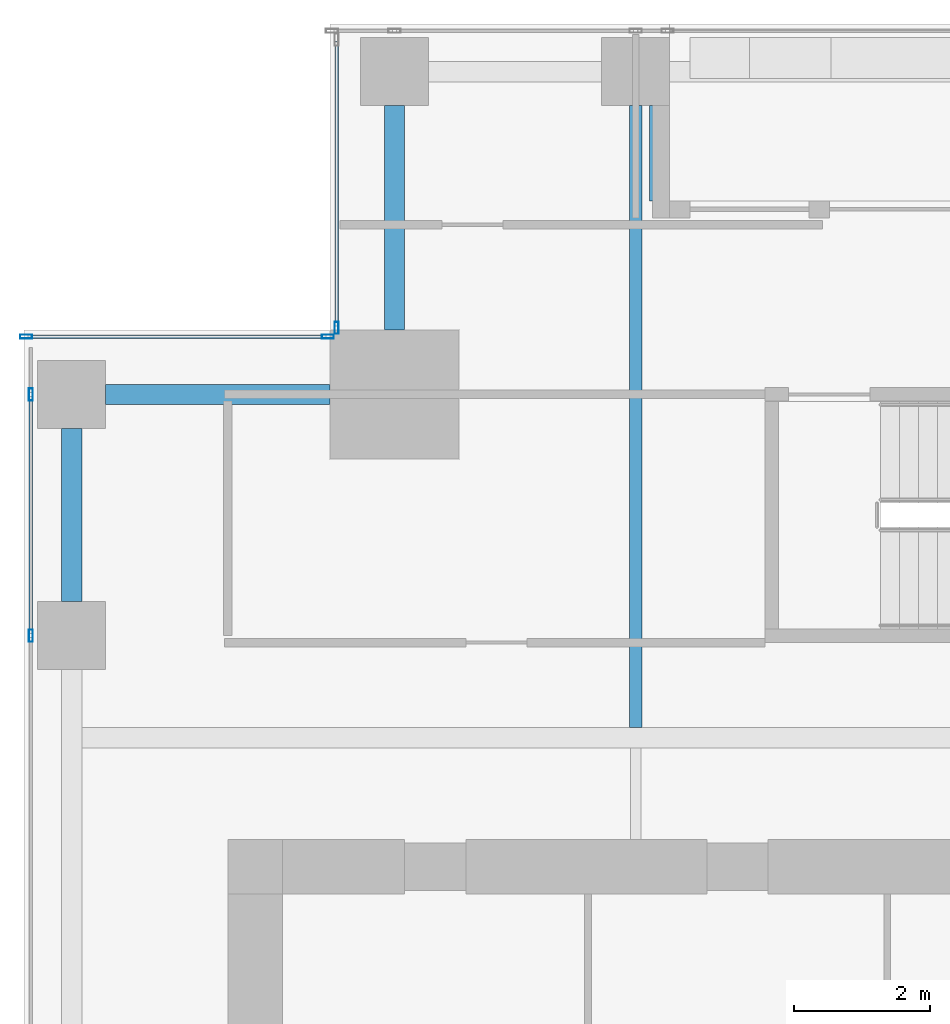
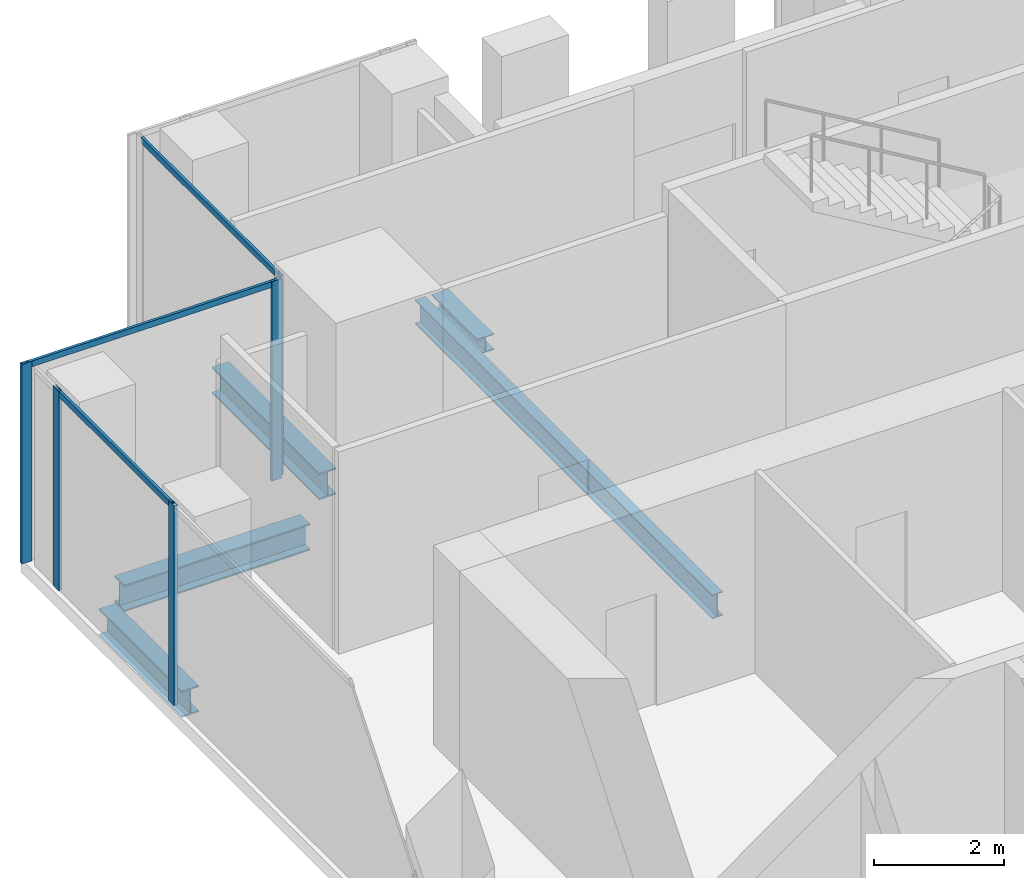
# One storey, part 19 of 40: 8 members, 5 beams, 3 elements without a shape of their own.
"""IFC4 building model written with IfcOpenShell, lengths in metres."""

from ifc_helpers import new_model, si_unit, direction, frame, origin, origin_2d, place, context, subcontext, project, spatial, hollow_rectangle, i_section, extrude, source, transform, mapped, material, material_profile, profile_set, type_object, element, aggregate, save


model = new_model("IFC4")

# Units and contexts
model_context = context("Model", 3, precision=1e-05, world=origin(), true_north=direction((0.0, 1.0)))
body_context = subcontext(model_context, "Body", "Model", "MODEL_VIEW")
ifc_project = project(units=[si_unit("LENGTHUNIT", "METRE"), si_unit("AREAUNIT", "SQUARE_METRE"), si_unit("VOLUMEUNIT", "CUBIC_METRE"), si_unit("PLANEANGLEUNIT", "RADIAN"), si_unit("MASSUNIT", "GRAM", prefix="KILO")], contexts=[model_context])

# Site, building, storey
site_placement = place(None, origin())
site = spatial("IfcSite", under=ifc_project, at=site_placement, CompositionType="ELEMENT")
building_placement = place(site_placement, origin())
building = spatial("IfcBuilding", under=site, at=building_placement, Name="Khomas Fold Tower", CompositionType="ELEMENT")
storey_placement = place(building_placement, frame((0.0, 0.0, 204.699951171875)))
storey = spatial("IfcBuildingStorey", under=building, at=storey_placement, Name="L45", CompositionType="ELEMENT", Elevation=204.699951171875)

# Beams
ifc_material_1 = material(Name="Steel S355", Category="steel")
ifc_material_profile_1 = material_profile(ifc_material_1, i_section(OverallWidth=0.300048828125, OverallDepth=0.5, WebThickness=0.014404296875, FlangeThickness=0.028076171875, at=origin_2d()), Name="HE 500 B")
ifc_profile_set_1 = profile_set([ifc_material_profile_1], Name="Steel S355")
beam_type_1 = type_object("IfcBeamType", Name="HE 500 B spandrel SB3", PredefinedType="SPANDREL", material=ifc_profile_set_1)
shared_shape_1 = source(origin(), body_context, "Body", "SweptSolid", [
    extrude(i_section(OverallWidth=0.300048828125, OverallDepth=0.5, WebThickness=0.014404296875, FlangeThickness=0.028076171875, at=origin_2d()), origin(), (0.0, 0.0, 1.0), 2.550048828125),
])
beam_1_placement = place(storey_placement, frame((3.699951171875, 42.5, -0.5), z_axis=(0.0, 1.0, 0.0), x_axis=(-1.0, 0.0, 0.0)))
element("IfcBeam", 1, at=beam_1_placement, inside=storey, type_object=beam_type_1, Name="SB3", PredefinedType="SPANDREL", context=body_context, shape_type="MappedRepresentation", body=[
    mapped(shared_shape_1, transform((0.0, 0.0, 0.0))),
])
shared_shape_2 = source(origin(), body_context, "Body", "SweptSolid", [
    extrude(i_section(OverallWidth=0.300048828125, OverallDepth=0.5, WebThickness=0.014404296875, FlangeThickness=0.028076171875, at=origin_2d()), origin(), (0.0, 0.0, 1.0), 3.300048828125),
])
for number, where, z_axis, x_axis, name in (
    (2, (8.449951171875, 46.5, -0.5), (0.0, 1.0, 0.0), (-1.0, 0.0, 0.0), "SB3"),
    (3, (4.199951171875, 45.550048828125, -0.5), (1.0, 0.0, 0.0), (0.0, 1.0, 0.0), "SB3"),
):
    element("IfcBeam", number, at=place(storey_placement, frame(where, z_axis=z_axis, x_axis=x_axis)), inside=storey, type_object=beam_type_1, Name=name, PredefinedType="SPANDREL", context=body_context, shape_type="MappedRepresentation", body=[
        mapped(shared_shape_2, transform((0.0, 0.0, 0.0))),
    ])
ifc_material_2 = material(Name="Steel S355", Category="steel")
ifc_material_profile_2 = material_profile(ifc_material_2, i_section(OverallWidth=0.18994140625, OverallDepth=0.449951171875, WebThickness=0.009521484375, FlangeThickness=0.0146484375, at=origin_2d()), Name="IPE 450")
ifc_profile_set_2 = profile_set([ifc_material_profile_2], Name="Steel S355")
beam_type_2 = type_object("IfcBeamType", Name="IPE 450 beam JB4", PredefinedType="BEAM", material=ifc_profile_set_2)
shared_shape_3 = source(origin(), body_context, "Body", "SweptSolid", [
    extrude(i_section(OverallWidth=0.18994140625, OverallDepth=0.449951171875, WebThickness=0.009521484375, FlangeThickness=0.0146484375, at=origin_2d()), origin(), (0.0, 0.0, 1.0), 9.150146484375),
])
beam_2_placement = place(storey_placement, frame((12.0, 40.64990234375, -0.474853515625), z_axis=(0.0, 1.0, 0.0), x_axis=(-1.0, 0.0, 0.0)))
element("IfcBeam", 4, at=beam_2_placement, inside=storey, type_object=beam_type_2, Name="JB4", PredefinedType="BEAM", context=body_context, shape_type="MappedRepresentation", body=[
    mapped(shared_shape_3, transform((0.0, 0.0, 0.0))),
])
ifc_material_3 = material(Name="Steel S355", Category="steel")
ifc_material_profile_3 = material_profile(ifc_material_3, i_section(OverallWidth=0.300048828125, OverallDepth=0.300048828125, WebThickness=0.010986328125, FlangeThickness=0.01904296875, at=origin_2d()), Name="HE 300 B")
ifc_profile_set_3 = profile_set([ifc_material_profile_3], Name="Steel S355")
beam_type_3 = type_object("IfcBeamType", Name="HE 300 B beam BB1", PredefinedType="BEAM", material=ifc_profile_set_3)
shared_shape_4 = source(origin(), body_context, "Body", "SweptSolid", [
    extrude(i_section(OverallWidth=0.300048828125, OverallDepth=0.300048828125, WebThickness=0.010986328125, FlangeThickness=0.01904296875, at=origin_2d()), origin(), (0.0, 0.0, 1.0), 1.400146484375),
])
beam_3_placement = place(storey_placement, frame((12.35009765625, 48.39990234375, -0.39990234375), z_axis=(0.0, 1.0, 0.0), x_axis=(-1.0, 0.0, 0.0)))
element("IfcBeam", 5, at=beam_3_placement, inside=storey, type_object=beam_type_3, Name="BB1", PredefinedType="BEAM", context=body_context, shape_type="MappedRepresentation", body=[
    mapped(shared_shape_4, transform((0.0, 0.0, 0.0))),
])

# Curtain wall, member
ifc_material_4 = material(Name="Aluminium framed double glazing", Category="aluminium")
curtain_wall_type = type_object("IfcCurtainWallType", Name="SK-Unitised clear-glass wall, office floors CW2", PredefinedType="NOTDEFINED", material=ifc_material_4)
curtain_wall_1_placement = place(storey_placement, origin())
curtain_wall_1 = element("IfcCurtainWall", 6, at=curtain_wall_1_placement, inside=storey, type_object=curtain_wall_type, Name="CW2 corner return L45 07", PredefinedType="NOTDEFINED")
ifc_material_5 = material(Name="Aluminium", Category="aluminium")
ifc_material_profile_4 = material_profile(ifc_material_5, hollow_rectangle(XDim=0.06005859375, YDim=0.179931640625, WallThickness=0.00390625, at=origin_2d()), Name="SK-Unitised clear-glass wall, office floors mullion CW2-M")
ifc_profile_set_4 = profile_set([ifc_material_profile_4], Name="Aluminium")
member_type_1 = type_object("IfcMemberType", Name="SK-Unitised clear-glass wall, office floors mullion CW2-M", PredefinedType="MULLION", material=ifc_profile_set_4)
shared_shape_5 = source(origin(), body_context, "Body", "SweptSolid", [
    extrude(hollow_rectangle(XDim=0.06005859375, YDim=0.179931640625, WallThickness=0.00390625, at=origin_2d()), origin(), (0.0, 0.0, 1.0), 3.75),
])
member_1_placement = place(storey_placement, frame((7.60009765625, 46.530029296875, 0.0), z_axis=(0.0, 0.0, 1.0), x_axis=(1.0, 0.0, 0.0)))
member_1 = element("IfcMember", 7, at=member_1_placement, type_object=member_type_1, Name="CW2 mullion 2", PredefinedType="MULLION", context=body_context, shape_type="MappedRepresentation", body=[
    mapped(shared_shape_5, transform((0.0, 0.0, 0.0))),
])

# Curtain wall, members
curtain_wall_2_placement = place(storey_placement, origin())
curtain_wall_2 = element("IfcCurtainWall", 8, at=curtain_wall_2_placement, inside=storey, type_object=curtain_wall_type, Name="CW2 corner return L45 08", PredefinedType="NOTDEFINED")
member_2_placement = place(storey_placement, frame((7.469970703125, 46.39990234375, 0.0), z_axis=(0.0, 0.0, 1.0), x_axis=(0.0, -1.0, 0.0)))
member_2 = element("IfcMember", 9, at=member_2_placement, type_object=member_type_1, Name="CW2 mullion 1", PredefinedType="MULLION", context=body_context, shape_type="MappedRepresentation", body=[
    mapped(shared_shape_5, transform((0.0, 0.0, 0.0))),
])
member_3_placement = place(storey_placement, frame((3.030029296875, 46.39990234375, 0.0), z_axis=(0.0, 0.0, 1.0), x_axis=(0.0, -1.0, 0.0)))
member_3 = element("IfcMember", 10, at=member_3_placement, type_object=member_type_1, Name="CW2 mullion 2", PredefinedType="MULLION", context=body_context, shape_type="MappedRepresentation", body=[
    mapped(shared_shape_5, transform((0.0, 0.0, 0.0))),
])

curtain_wall_3_placement = place(storey_placement, origin())
curtain_wall_3 = element("IfcCurtainWall", 11, at=curtain_wall_3_placement, inside=storey, type_object=curtain_wall_type, Name="CW2 run L45 09-0", PredefinedType="NOTDEFINED")
member_4_placement = place(storey_placement, frame((3.10009765625, 45.550048828125, 0.0), z_axis=(0.0, 0.0, 1.0), x_axis=(1.0, 0.0, 0.0)))
member_4 = element("IfcMember", 12, at=member_4_placement, type_object=member_type_1, Name="CW2 mullion 2", PredefinedType="MULLION", context=body_context, shape_type="MappedRepresentation", body=[
    mapped(shared_shape_5, transform((0.0, 0.0, 0.0))),
])
member_5_placement = place(storey_placement, frame((3.10009765625, 42.0, 0.0), z_axis=(0.0, 0.0, 1.0), x_axis=(1.0, 0.0, 0.0)))
member_5 = element("IfcMember", 13, at=member_5_placement, type_object=member_type_1, Name="CW2 mullion 3", PredefinedType="MULLION", context=body_context, shape_type="MappedRepresentation", body=[
    mapped(shared_shape_5, transform((0.0, 0.0, 0.0))),
])

# Member
ifc_material_6 = material(Name="Aluminium", Category="aluminium")
ifc_material_profile_5 = material_profile(ifc_material_6, hollow_rectangle(XDim=0.050048828125, YDim=0.110107421875, WallThickness=0.00390625, at=origin_2d()), Name="SK-Unitised clear-glass wall, office floors transom CW2-T")
ifc_profile_set_5 = profile_set([ifc_material_profile_5], Name="Aluminium")
member_type_2 = type_object("IfcMemberType", Name="SK-Unitised clear-glass wall, office floors transom CW2-T", PredefinedType="USERDEFINED", material=ifc_profile_set_5)
shared_shape_6 = source(origin(), body_context, "Body", "SweptSolid", [
    extrude(hollow_rectangle(XDim=0.050048828125, YDim=0.110107421875, WallThickness=0.00390625, at=origin_2d()), origin(), (0.0, 0.0, 1.0), 4.3798828125),
])
member_6_placement = place(storey_placement, frame((7.43994140625, 46.39990234375, 3.695068359375), z_axis=(-1.0, 0.0, 0.0), x_axis=(0.0, -1.0, 0.0)))
member_6 = element("IfcMember", 14, at=member_6_placement, type_object=member_type_2, Name="CW2 transom 1", ObjectType="TRANSOM", PredefinedType="USERDEFINED", context=body_context, shape_type="MappedRepresentation", body=[
    mapped(shared_shape_6, transform((0.0, 0.0, 0.0))),
])

aggregate(curtain_wall_2, [member_2, member_3, member_6])

shared_shape_7 = source(origin(), body_context, "Body", "SweptSolid", [
    extrude(hollow_rectangle(XDim=0.050048828125, YDim=0.110107421875, WallThickness=0.00390625, at=origin_2d()), origin(), (0.0, 0.0, 1.0), 3.489990234375),
])
member_7_placement = place(storey_placement, frame((3.10009765625, 45.52001953125, 3.695068359375), z_axis=(0.0, -1.0, 0.0), x_axis=(1.0, 0.0, 0.0)))
member_7 = element("IfcMember", 15, at=member_7_placement, type_object=member_type_2, Name="CW2 transom 2", ObjectType="TRANSOM", PredefinedType="USERDEFINED", context=body_context, shape_type="MappedRepresentation", body=[
    mapped(shared_shape_7, transform((0.0, 0.0, 0.0))),
])

aggregate(curtain_wall_3, [member_4, member_5, member_7])

shared_shape_8 = source(origin(), body_context, "Body", "SweptSolid", [
    extrude(hollow_rectangle(XDim=0.050048828125, YDim=0.110107421875, WallThickness=0.00390625, at=origin_2d()), origin(), (0.0, 0.0, 1.0), 4.179931640625),
])
member_8_placement = place(storey_placement, frame((7.60009765625, 50.739990234375, 3.695068359375), z_axis=(0.0, -1.0, 0.0), x_axis=(1.0, 0.0, 0.0)))
member_8 = element("IfcMember", 16, at=member_8_placement, type_object=member_type_2, Name="CW2 transom 1", ObjectType="TRANSOM", PredefinedType="USERDEFINED", context=body_context, shape_type="MappedRepresentation", body=[
    mapped(shared_shape_8, transform((0.0, 0.0, 0.0))),
])

aggregate(curtain_wall_1, [member_1, member_8])

save(model, "model.ifc")
